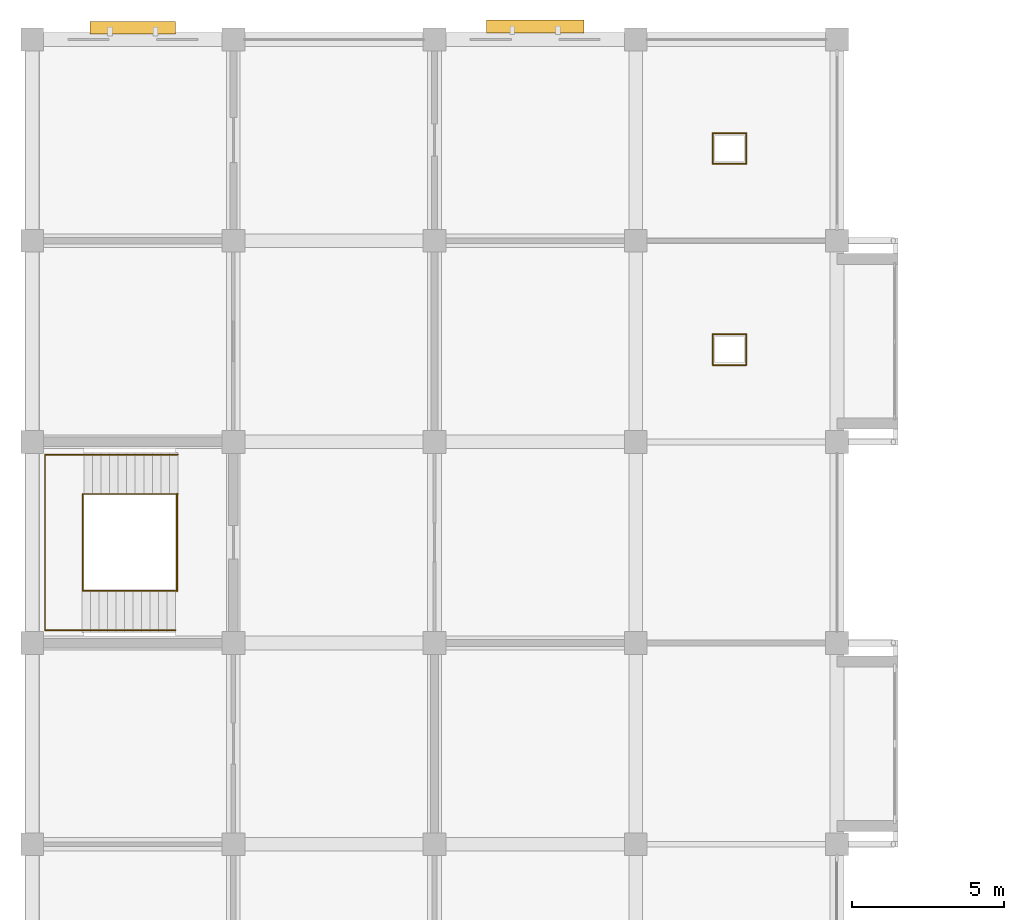
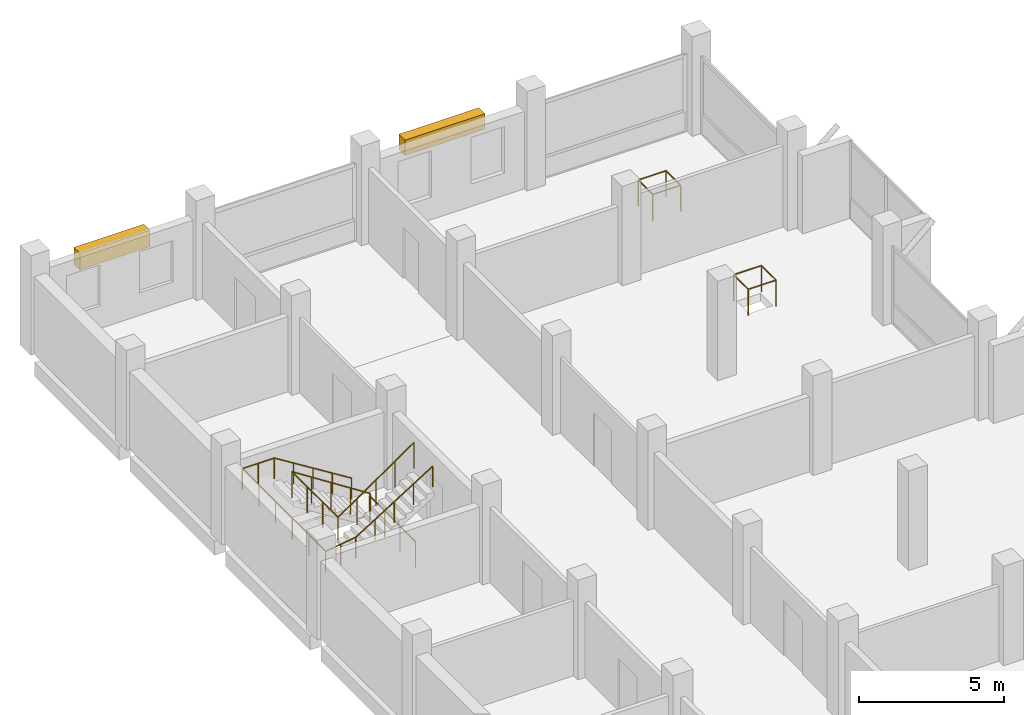
# One storey, part 18 of 18: 5 railings, 2 shading devices.
"""IFC4 building model written with IfcOpenShell, lengths in metres."""

from ifc_helpers import new_model, si_unit, direction, frame, origin, origin_2d, place, context, subcontext, project, spatial, rectangle, circle, extrude, material, type_object, element, save


model = new_model("IFC4")

# Units and contexts
model_context = context("Model", 3, precision=1e-05, world=origin(), true_north=direction((0.0, 1.0)))
body_context = subcontext(model_context, "Body", "Model", "MODEL_VIEW")
ifc_project = project(units=[si_unit("LENGTHUNIT", "METRE"), si_unit("AREAUNIT", "SQUARE_METRE"), si_unit("VOLUMEUNIT", "CUBIC_METRE"), si_unit("PLANEANGLEUNIT", "RADIAN"), si_unit("MASSUNIT", "GRAM", prefix="KILO")], contexts=[model_context])

# Site, building, storey
site_placement = place(None, origin())
site = spatial("IfcSite", under=ifc_project, at=site_placement, CompositionType="ELEMENT")
building_placement = place(site_placement, origin())
building = spatial("IfcBuilding", under=site, at=building_placement, Name="Rusizi Kubbe Research Institute", CompositionType="ELEMENT")
storey_placement = place(building_placement, frame((0.0, 0.0, 22.800048828125)))
storey = spatial("IfcBuildingStorey", under=building, at=storey_placement, Name="L05", CompositionType="ELEMENT", Elevation=22.800048828125)

# Railings
ifc_material_1 = material(Name="Painted Steel Stair Guard", Category="steel")
railing_type_1 = type_object("IfcRailingType", Name="GR-STAIR", PredefinedType="GUARDRAIL", material=ifc_material_1)
railing_1_placement = place(storey_placement, frame((4.780029296875, 70.889892578125, 0.08740234375)))
element("IfcRailing", 1, at=railing_1_placement, inside=storey, type_object=railing_type_1, Name="Stair Inner Well Guard ST5 L05", PredefinedType="GUARDRAIL", context=body_context, shape_type="SweptSolid", body=[
    extrude(circle(Radius=0.02392578125, at=origin_2d()), frame((0.0, 0.0, 1.09619140625), z_axis=(-0.840361383606, 0.0, 0.542026516828), x_axis=(0.0, -1.0, 0.0)), (0.0, 0.0, 1.0), 3.712890625),
    extrude(circle(Radius=0.02392578125, at=origin_2d()), frame((-3.1201171875, 0.0, 3.1083984375), z_axis=(0.0, -1.0, 0.0), x_axis=(1.0, 0.0, 0.0)), (0.0, 0.0, 1.0), 3.179931640625),
    extrude(circle(Radius=0.02392578125, at=origin_2d()), frame((-3.1201171875, -3.179931640625, 3.1083984375), z_axis=(0.82276741766, 0.0, 0.568378198419), x_axis=(0.0, 1.0, 0.0)), (0.0, 0.0, 1.0), 3.69482421875),
    extrude(circle(Radius=0.02099609375, at=origin_2d()), origin(), (0.0, 0.0, 1.0), 1.072021484375),
    extrude(circle(Radius=0.02099609375, at=origin_2d()), frame((-0.780029296875, 0.0, 0.503173828125)), (0.0, 0.0, 1.0), 1.072021484375),
    extrude(circle(Radius=0.02099609375, at=origin_2d()), frame((-1.56005859375, 0.0, 1.00634765625)), (0.0, 0.0, 1.0), 1.072021484375),
    extrude(circle(Radius=0.02099609375, at=origin_2d()), frame((-2.340087890625, 0.0, 1.50927734375)), (0.0, 0.0, 1.0), 1.072021484375),
    extrude(circle(Radius=0.02099609375, at=origin_2d()), frame((-3.1201171875, 0.0, 2.012451171875)), (0.0, 0.0, 1.0), 1.072021484375),
    extrude(circle(Radius=0.02099609375, at=origin_2d()), frame((-3.1201171875, -1.06005859375, 2.012451171875)), (0.0, 0.0, 1.0), 1.072021484375),
    extrude(circle(Radius=0.02099609375, at=origin_2d()), frame((-3.1201171875, -2.119873046875, 2.012451171875)), (0.0, 0.0, 1.0), 1.072021484375),
    extrude(circle(Radius=0.02099609375, at=origin_2d()), frame((-3.1201171875, -3.179931640625, 2.012451171875)), (0.0, 0.0, 1.0), 1.072021484375),
    extrude(circle(Radius=0.02099609375, at=origin_2d()), frame((-2.360107421875, -3.179931640625, 2.53759765625)), (0.0, 0.0, 1.0), 1.072021484375),
    extrude(circle(Radius=0.02099609375, at=origin_2d()), frame((-1.60009765625, -3.179931640625, 3.0625)), (0.0, 0.0, 1.0), 1.072021484375),
    extrude(circle(Radius=0.02099609375, at=origin_2d()), frame((-0.840087890625, -3.179931640625, 3.58740234375)), (0.0, 0.0, 1.0), 1.072021484375),
    extrude(circle(Radius=0.02099609375, at=origin_2d()), frame((-0.080078125, -3.179931640625, 4.112548828125)), (0.0, 0.0, 1.0), 1.072021484375),
])
railing_2_placement = place(storey_placement, frame((4.75, 70.889892578125, 0.0)))
element("IfcRailing", 2, at=railing_2_placement, inside=storey, type_object=railing_type_1, Name="Stair Floor Edge Guard ST5 L05", PredefinedType="GUARDRAIL", context=body_context, shape_type="SweptSolid", body=[
    extrude(circle(Radius=0.02392578125, at=origin_2d()), frame((0.0, 0.0, 1.09619140625), z_axis=(0.0, -1.0, 0.0), x_axis=(1.0, 0.0, 0.0)), (0.0, 0.0, 1.0), 3.179931640625),
    extrude(circle(Radius=0.02099609375, at=origin_2d()), origin(), (0.0, 0.0, 1.0), 1.072021484375),
    extrude(circle(Radius=0.02099609375, at=origin_2d()), frame((0.0, -1.06005859375, 0.0)), (0.0, 0.0, 1.0), 1.072021484375),
    extrude(circle(Radius=0.02099609375, at=origin_2d()), frame((0.0, -2.119873046875, 0.0)), (0.0, 0.0, 1.0), 1.072021484375),
    extrude(circle(Radius=0.02099609375, at=origin_2d()), frame((0.0, -3.179931640625, 0.0)), (0.0, 0.0, 1.0), 1.072021484375),
])
railing_3_placement = place(storey_placement, frame((22.320068359375, 75.1201171875, 0.0)))
element("IfcRailing", 3, at=railing_3_placement, inside=storey, type_object=railing_type_1, Name="Service Riser Guard L05 NORTHA", PredefinedType="GUARDRAIL", context=body_context, shape_type="SweptSolid", body=[
    extrude(circle(Radius=0.02392578125, at=origin_2d()), frame((0.0, 0.0, 1.09619140625), z_axis=(1.0, 0.0, 0.0), x_axis=(0.0, 1.0, 0.0)), (0.0, 0.0, 1.0), 1.10986328125),
    extrude(circle(Radius=0.02392578125, at=origin_2d()), frame((1.10986328125, 0.0, 1.09619140625), z_axis=(0.0, 1.0, 0.0), x_axis=(-1.0, 0.0, 0.0)), (0.0, 0.0, 1.0), 1.009765625),
    extrude(circle(Radius=0.02392578125, at=origin_2d()), frame((1.10986328125, 1.009765625, 1.09619140625), z_axis=(-1.0, 0.0, 0.0), x_axis=(0.0, -1.0, 0.0)), (0.0, 0.0, 1.0), 1.10986328125),
    extrude(circle(Radius=0.02392578125, at=origin_2d()), frame((0.0, 1.009765625, 1.09619140625), z_axis=(0.0, -1.0, 0.0), x_axis=(1.0, 0.0, 0.0)), (0.0, 0.0, 1.0), 1.009765625),
    extrude(circle(Radius=0.02099609375, at=origin_2d()), origin(), (0.0, 0.0, 1.0), 1.072021484375),
    extrude(circle(Radius=0.02099609375, at=origin_2d()), frame((1.10986328125, 0.0, 0.0)), (0.0, 0.0, 1.0), 1.072021484375),
    extrude(circle(Radius=0.02099609375, at=origin_2d()), frame((1.10986328125, 1.009765625, 0.0)), (0.0, 0.0, 1.0), 1.072021484375),
    extrude(circle(Radius=0.02099609375, at=origin_2d()), frame((0.0, 1.009765625, 0.0)), (0.0, 0.0, 1.0), 1.072021484375),
])
railing_4_placement = place(storey_placement, frame((22.320068359375, 81.719970703125, 0.0)))
element("IfcRailing", 4, at=railing_4_placement, inside=storey, type_object=railing_type_1, Name="Service Riser Guard L05 NORTHB", PredefinedType="GUARDRAIL", context=body_context, shape_type="SweptSolid", body=[
    extrude(circle(Radius=0.02392578125, at=origin_2d()), frame((0.0, 0.0, 1.09619140625), z_axis=(1.0, 0.0, 0.0), x_axis=(0.0, 1.0, 0.0)), (0.0, 0.0, 1.0), 1.10986328125),
    extrude(circle(Radius=0.02392578125, at=origin_2d()), frame((1.10986328125, 0.0, 1.09619140625), z_axis=(0.0, 1.0, 0.0), x_axis=(-1.0, 0.0, 0.0)), (0.0, 0.0, 1.0), 1.010009765625),
    extrude(circle(Radius=0.02392578125, at=origin_2d()), frame((1.10986328125, 1.010009765625, 1.09619140625), z_axis=(-1.0, 0.0, 0.0), x_axis=(0.0, -1.0, 0.0)), (0.0, 0.0, 1.0), 1.10986328125),
    extrude(circle(Radius=0.02392578125, at=origin_2d()), frame((0.0, 1.010009765625, 1.09619140625), z_axis=(0.0, -1.0, 0.0), x_axis=(1.0, 0.0, 0.0)), (0.0, 0.0, 1.0), 1.010009765625),
    extrude(circle(Radius=0.02099609375, at=origin_2d()), origin(), (0.0, 0.0, 1.0), 1.072021484375),
    extrude(circle(Radius=0.02099609375, at=origin_2d()), frame((1.10986328125, 0.0, 0.0)), (0.0, 0.0, 1.0), 1.072021484375),
    extrude(circle(Radius=0.02099609375, at=origin_2d()), frame((1.10986328125, 1.010009765625, 0.0)), (0.0, 0.0, 1.0), 1.072021484375),
    extrude(circle(Radius=0.02099609375, at=origin_2d()), frame((0.0, 1.010009765625, 0.0)), (0.0, 0.0, 1.0), 1.072021484375),
])
ifc_material_2 = material(Name="Brushed Stainless Steel Handrail", Category="steel")
railing_type_2 = type_object("IfcRailingType", Name="HR-STAIR", PredefinedType="HANDRAIL", material=ifc_material_2)
railing_5_placement = place(storey_placement, frame((4.780029296875, 72.179931640625, 0.175048828125)))
element("IfcRailing", 5, at=railing_5_placement, inside=storey, type_object=railing_type_2, Name="Stair Wall Handrail ST5 L05", PredefinedType="HANDRAIL", context=body_context, shape_type="SweptSolid", body=[
    extrude(circle(Radius=0.02392578125, at=origin_2d()), frame((0.0, 0.0, 0.8759765625), z_axis=(-0.848028513186, 0.0, 0.529950602248), x_axis=(0.0, -1.0, 0.0)), (0.0, 0.0, 1.0), 3.632080078125),
    extrude(circle(Radius=0.02392578125, at=origin_2d()), frame((-3.080078125, 0.0, 2.80078125), z_axis=(-1.0, 0.0, 0.0), x_axis=(0.0, -1.0, 0.0)), (0.0, 0.0, 1.0), 1.280029296875),
    extrude(circle(Radius=0.02392578125, at=origin_2d()), frame((-4.360107421875, 0.0, 2.80078125), z_axis=(0.0, -1.0, 0.0), x_axis=(1.0, 0.0, 0.0)), (0.0, 0.0, 1.0), 5.760009765625),
    extrude(circle(Radius=0.02392578125, at=origin_2d()), frame((-4.360107421875, -5.760009765625, 2.80078125), z_axis=(0.989630492691, 0.0, 0.143636652482), x_axis=(0.0, 1.0, 0.0)), (0.0, 0.0, 1.0), 1.21875),
    extrude(circle(Radius=0.02392578125, at=origin_2d()), frame((-3.154052734375, -5.760009765625, 2.9755859375), z_axis=(0.847525270172, 0.0, 0.530755043706), x_axis=(0.0, 1.0, 0.0)), (0.0, 0.0, 1.0), 3.626953125),
    extrude(circle(Radius=0.02099609375, at=origin_2d()), origin(), (0.0, 0.0, 1.0), 0.851806640625),
    extrude(circle(Radius=0.02099609375, at=origin_2d()), frame((-0.77001953125, 0.0, 0.481201171875)), (0.0, 0.0, 1.0), 0.851806640625),
    extrude(circle(Radius=0.02099609375, at=origin_2d()), frame((-1.5400390625, 0.0, 0.96240234375)), (0.0, 0.0, 1.0), 0.851806640625),
    extrude(circle(Radius=0.02099609375, at=origin_2d()), frame((-2.31005859375, 0.0, 1.443603515625)), (0.0, 0.0, 1.0), 0.851806640625),
    extrude(circle(Radius=0.02099609375, at=origin_2d()), frame((-3.080078125, 0.0, 1.9248046875)), (0.0, 0.0, 1.0), 0.851806640625),
    extrude(circle(Radius=0.02099609375, at=origin_2d()), frame((-3.72021484375, 0.0, 1.9248046875)), (0.0, 0.0, 1.0), 0.851806640625),
    extrude(circle(Radius=0.02099609375, at=origin_2d()), frame((-4.360107421875, 0.0, 1.9248046875)), (0.0, 0.0, 1.0), 0.851806640625),
    extrude(circle(Radius=0.02099609375, at=origin_2d()), frame((-4.360107421875, -1.152099609375, 1.9248046875)), (0.0, 0.0, 1.0), 0.851806640625),
    extrude(circle(Radius=0.02099609375, at=origin_2d()), frame((-4.360107421875, -2.303955078125, 1.9248046875)), (0.0, 0.0, 1.0), 0.851806640625),
    extrude(circle(Radius=0.02099609375, at=origin_2d()), frame((-4.360107421875, -3.4560546875, 1.9248046875)), (0.0, 0.0, 1.0), 0.851806640625),
    extrude(circle(Radius=0.02099609375, at=origin_2d()), frame((-4.360107421875, -4.60791015625, 1.9248046875)), (0.0, 0.0, 1.0), 0.851806640625),
    extrude(circle(Radius=0.02099609375, at=origin_2d()), frame((-4.360107421875, -5.760009765625, 1.9248046875)), (0.0, 0.0, 1.0), 0.851806640625),
    extrude(circle(Radius=0.02099609375, at=origin_2d()), frame((-3.757080078125, -5.760009765625, 2.01220703125)), (0.0, 0.0, 1.0), 0.851806640625),
    extrude(circle(Radius=0.02099609375, at=origin_2d()), frame((-3.154052734375, -5.760009765625, 2.099853515625)), (0.0, 0.0, 1.0), 0.851806640625),
    extrude(circle(Radius=0.02099609375, at=origin_2d()), frame((-2.385498046875, -5.760009765625, 2.5810546875)), (0.0, 0.0, 1.0), 0.851806640625),
    extrude(circle(Radius=0.02099609375, at=origin_2d()), frame((-1.6171875, -5.760009765625, 3.0625)), (0.0, 0.0, 1.0), 0.851806640625),
    extrude(circle(Radius=0.02099609375, at=origin_2d()), frame((-0.8486328125, -5.760009765625, 3.543701171875)), (0.0, 0.0, 1.0), 0.851806640625),
    extrude(circle(Radius=0.02099609375, at=origin_2d()), frame((-0.080078125, -5.760009765625, 4.02490234375)), (0.0, 0.0, 1.0), 0.851806640625),
])

# Shading devices
ifc_material_3 = material(Name="Extruded Aluminium Solar Louver", Category="aluminium")
shading_device_type_1 = type_object("IfcShadingDeviceType", Name="SD-02", PredefinedType="SHUTTER", material=ifc_material_3)
shading_device_1_placement = place(storey_placement, frame((3.300048828125, 86.1826171875, 2.47998046875), z_axis=(0.0, 0.0, 1.0), x_axis=(1.0, 0.0, 0.0)))
element("IfcShadingDevice", 6, at=shading_device_1_placement, inside=storey, type_object=shading_device_type_1, Name="Solar Shading Louver SD-02-033", PredefinedType="SHUTTER", context=body_context, shape_type="SweptSolid", body=[
    extrude(rectangle(XDim=2.800048828125, YDim=0.419921875, at=origin_2d()), origin(), (0.0, 0.0, 1.0), 0.699951171875),
])
ifc_material_4 = material(Name="Extruded Aluminium Solar Louver", Category="aluminium")
shading_device_type_2 = type_object("IfcShadingDeviceType", Name="SD-03", PredefinedType="SHUTTER", material=ifc_material_4)
shading_device_2_placement = place(storey_placement, frame((16.5, 86.22998046875, 2.72509765625), z_axis=(0.0, 0.0, 1.0), x_axis=(1.0, 0.0, 0.0)))
element("IfcShadingDevice", 7, at=shading_device_2_placement, inside=storey, type_object=shading_device_type_2, Name="Solar Shading Louver SD-03-034", PredefinedType="SHUTTER", context=body_context, shape_type="SweptSolid", body=[
    extrude(rectangle(XDim=3.199951171875, YDim=0.419921875, at=origin_2d()), origin(), (0.0, 0.0, 1.0), 0.64990234375),
])

save(model, "model.ifc")
